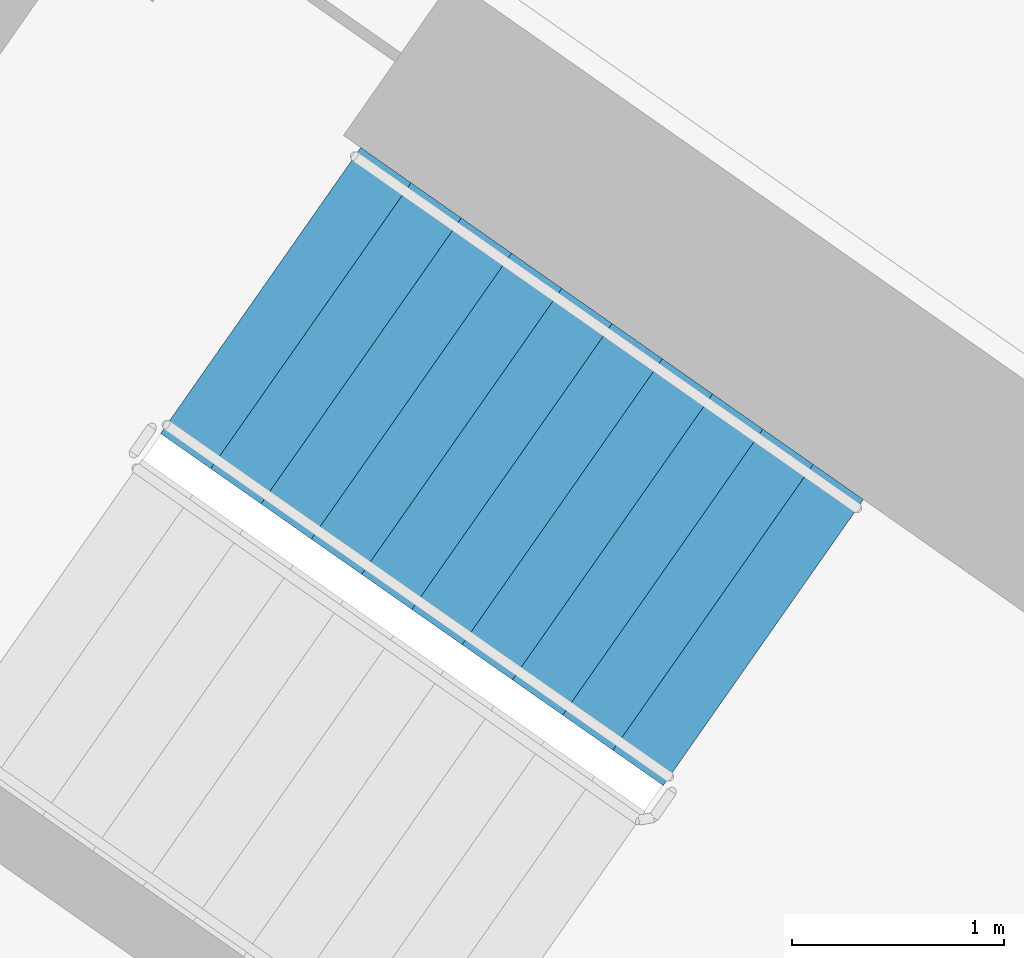
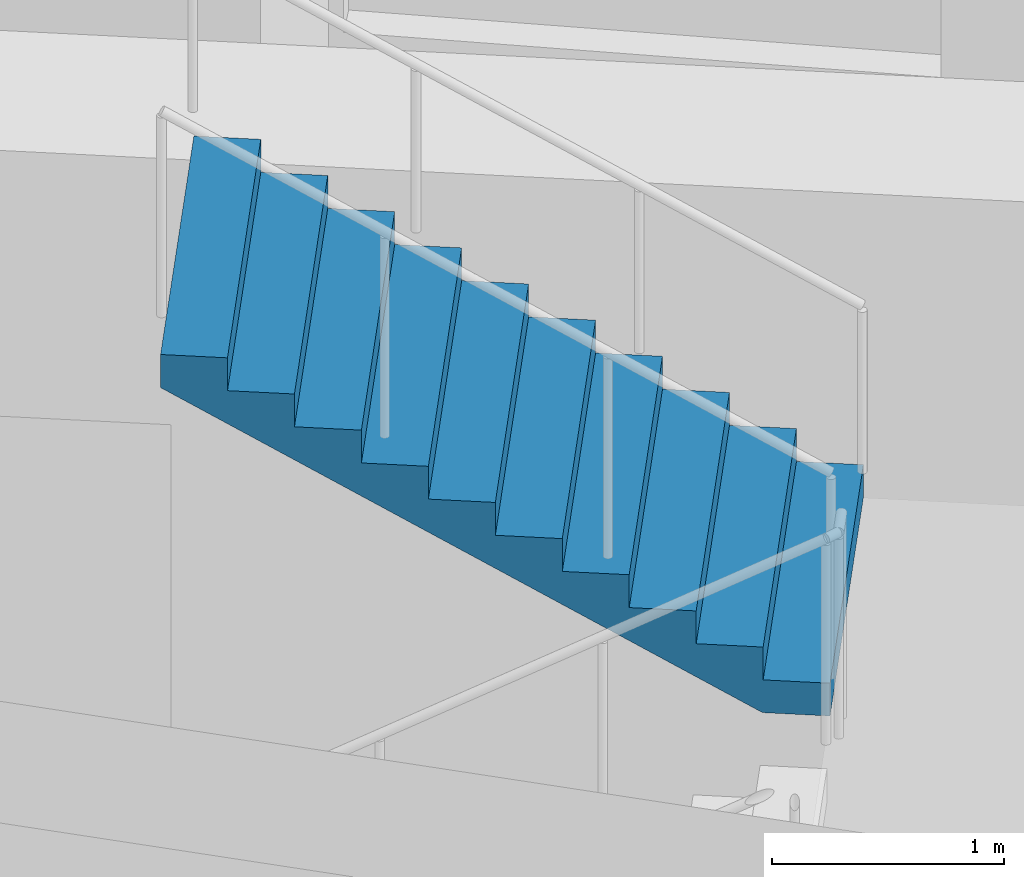
# One storey, part 13 of 30: 1 stair flight, 1 element without a shape of its own.
"""IFC4 building model written with IfcOpenShell, lengths in metres."""

from ifc_helpers import new_model, si_unit, direction, frame, origin, place, context, subcontext, project, spatial, faceted_brep, material, type_object, element, aggregate, save


model = new_model("IFC4")

# Units and contexts
model_context = context("Model", 3, precision=1e-05, world=origin(), true_north=direction((0.0, 1.0)))
body_context = subcontext(model_context, "Body", "Model", "MODEL_VIEW")
ifc_project = project(units=[si_unit("LENGTHUNIT", "METRE"), si_unit("AREAUNIT", "SQUARE_METRE"), si_unit("VOLUMEUNIT", "CUBIC_METRE"), si_unit("PLANEANGLEUNIT", "RADIAN"), si_unit("MASSUNIT", "GRAM", prefix="KILO")], contexts=[model_context])

# Site, building, storey
site_placement = place(None, origin())
site = spatial("IfcSite", under=ifc_project, at=site_placement, CompositionType="ELEMENT")
building_placement = place(site_placement, origin())
building = spatial("IfcBuilding", under=site, at=building_placement, Name="Qamariyya Broadcast Tower", CompositionType="ELEMENT")
storey_placement = place(building_placement, frame((0.0, 0.0, 117.699951171875)))
storey = spatial("IfcBuildingStorey", under=building, at=storey_placement, Name="L26", CompositionType="ELEMENT", Elevation=117.699951171875)

# Stair, stair flight
ifc_material = material(Name="Concrete C50/60", Category="concrete")
stair_type = type_object("IfcStairType", Name="Exit stair 22 risers of 173 mm", PredefinedType="HALF_TURN_STAIR", material=ifc_material)
stair_placement = place(storey_placement, origin())
stair = element("IfcStair", 1, at=stair_placement, inside=storey, type_object=stair_type, Name="L26 Stair W2", PredefinedType="HALF_TURN_STAIR")
stair_flight_type = type_object("IfcStairFlightType", Name="Exit stair flight 11 risers of 173 mm", PredefinedType="STRAIGHT", material=ifc_material)
stair_flight_placement = place(storey_placement, frame((-38.18310546875, -49.3486328125, 1.900146484375), z_axis=(0.0, 0.0, 1.0), x_axis=(-0.819152044289, 0.573576436351, 0.0)))
stair_flight = element("IfcStairFlight", 2, at=stair_flight_placement, type_object=stair_flight_type, Name="ST-W2 flight 2", NumberOfRisers=11, NumberOfTreads=10, PredefinedType="STRAIGHT", RiserHeight=0.172727273, TreadLength=0.29, context=body_context, shape_type="Brep", body=[
    faceted_brep([(0.0, 0.824951171875, 0.0), (0.0, 0.824951171875, 0.172607421875), (0.2900390625, 0.824951171875, 0.172607421875), (0.2900390625, 0.824951171875, 0.345458984375), (0.580078125, 0.824951171875, 0.345458984375), (0.580078125, 0.824951171875, 0.51806640625), (0.8701171875, 0.824951171875, 0.51806640625), (0.8701171875, 0.824951171875, 0.69091796875), (1.159912109375, 0.824951171875, 0.69091796875), (1.159912109375, 0.824951171875, 0.863525390625), (1.449951171875, 0.824951171875, 0.863525390625), (1.449951171875, 0.824951171875, 1.036376953125), (1.739990234375, 0.824951171875, 1.036376953125), (1.739990234375, 0.824951171875, 1.208984375), (2.030029296875, 0.824951171875, 1.208984375), (2.030029296875, 0.824951171875, 1.3818359375), (2.320068359375, 0.824951171875, 1.3818359375), (2.320068359375, 0.824951171875, 1.554443359375), (2.610107421875, 0.824951171875, 1.554443359375), (2.610107421875, 0.824951171875, 1.727294921875), (2.89990234375, 0.824951171875, 1.727294921875), (2.89990234375, 0.824951171875, 1.552734375), (0.29296875, 0.824951171875, 0.0), (0.29296875, -0.824951171875, 0.0), (2.89990234375, -0.824951171875, 1.552734375), (2.89990234375, -0.824951171875, 1.727294921875), (2.610107421875, -0.824951171875, 1.727294921875), (2.610107421875, -0.824951171875, 1.554443359375), (2.320068359375, -0.824951171875, 1.554443359375), (2.320068359375, -0.824951171875, 1.3818359375), (2.030029296875, -0.824951171875, 1.3818359375), (2.030029296875, -0.824951171875, 1.208984375), (1.739990234375, -0.824951171875, 1.208984375), (1.739990234375, -0.824951171875, 1.036376953125), (1.449951171875, -0.824951171875, 1.036376953125), (1.449951171875, -0.824951171875, 0.863525390625), (1.159912109375, -0.824951171875, 0.863525390625), (1.159912109375, -0.824951171875, 0.69091796875), (0.8701171875, -0.824951171875, 0.69091796875), (0.8701171875, -0.824951171875, 0.51806640625), (0.580078125, -0.824951171875, 0.51806640625), (0.580078125, -0.824951171875, 0.345458984375), (0.2900390625, -0.824951171875, 0.345458984375), (0.2900390625, -0.824951171875, 0.172607421875), (0.0, -0.824951171875, 0.172607421875), (0.0, -0.824951171875, 0.0), (0.0, 0.10009765625, 0.0), (0.0, 0.086669921875, 0.0), (0.0, 0.0732421875, 0.0), (0.0, 0.06005859375, 0.0), (0.0, 0.046630859375, 0.0), (0.0, 0.033447265625, 0.0), (0.0, 0.02001953125, 0.0), (0.0, 0.006591796875, 0.0), (0.0, -0.006591796875, 0.0), (0.0, -0.02001953125, 0.0), (0.0, -0.033447265625, 0.0), (0.0, -0.046630859375, 0.0), (0.0, -0.06005859375, 0.0), (0.0, -0.0732421875, 0.0), (0.0, -0.086669921875, 0.0), (0.0, -0.10009765625, 0.0), (0.0, -0.10009765625, 0.172607421875), (0.0, -0.086669921875, 0.172607421875), (0.0, -0.0732421875, 0.172607421875), (0.0, -0.06005859375, 0.172607421875), (0.0, -0.046630859375, 0.172607421875), (0.0, -0.033447265625, 0.172607421875), (0.0, -0.02001953125, 0.172607421875), (0.0, -0.006591796875, 0.172607421875), (0.0, 0.006591796875, 0.172607421875), (0.0, 0.02001953125, 0.172607421875), (0.0, 0.033447265625, 0.172607421875), (0.0, 0.046630859375, 0.172607421875), (0.0, 0.06005859375, 0.172607421875), (0.0, 0.0732421875, 0.172607421875), (0.0, 0.086669921875, 0.172607421875), (0.0, 0.10009765625, 0.172607421875), (0.2900390625, -0.10009765625, 0.172607421875), (0.2900390625, -0.086669921875, 0.172607421875), (0.2900390625, -0.0732421875, 0.172607421875), (0.2900390625, -0.06005859375, 0.172607421875), (0.2900390625, -0.046630859375, 0.172607421875), (0.2900390625, -0.033447265625, 0.172607421875), (0.2900390625, -0.02001953125, 0.172607421875), (0.2900390625, -0.006591796875, 0.172607421875), (0.2900390625, 0.006591796875, 0.172607421875), (0.2900390625, 0.02001953125, 0.172607421875), (0.2900390625, 0.033447265625, 0.172607421875), (0.2900390625, 0.046630859375, 0.172607421875), (0.2900390625, 0.06005859375, 0.172607421875), (0.2900390625, 0.0732421875, 0.172607421875), (0.2900390625, 0.086669921875, 0.172607421875), (0.2900390625, 0.10009765625, 0.172607421875), (0.2900390625, -0.10009765625, 0.345458984375), (0.2900390625, -0.086669921875, 0.345458984375), (0.2900390625, -0.0732421875, 0.345458984375), (0.2900390625, -0.06005859375, 0.345458984375), (0.2900390625, -0.046630859375, 0.345458984375), (0.2900390625, -0.033447265625, 0.345458984375), (0.2900390625, -0.02001953125, 0.345458984375), (0.2900390625, -0.006591796875, 0.345458984375), (0.2900390625, 0.006591796875, 0.345458984375), (0.2900390625, 0.02001953125, 0.345458984375), (0.2900390625, 0.033447265625, 0.345458984375), (0.2900390625, 0.046630859375, 0.345458984375), (0.2900390625, 0.06005859375, 0.345458984375), (0.2900390625, 0.0732421875, 0.345458984375), (0.2900390625, 0.086669921875, 0.345458984375), (0.2900390625, 0.10009765625, 0.345458984375), (0.580078125, -0.10009765625, 0.345458984375), (0.580078125, -0.086669921875, 0.345458984375), (0.580078125, -0.0732421875, 0.345458984375), (0.580078125, -0.06005859375, 0.345458984375), (0.580078125, -0.046630859375, 0.345458984375), (0.580078125, -0.033447265625, 0.345458984375), (0.580078125, -0.02001953125, 0.345458984375), (0.580078125, -0.006591796875, 0.345458984375), (0.580078125, 0.006591796875, 0.345458984375), (0.580078125, 0.02001953125, 0.345458984375), (0.580078125, 0.033447265625, 0.345458984375), (0.580078125, 0.046630859375, 0.345458984375), (0.580078125, 0.06005859375, 0.345458984375), (0.580078125, 0.0732421875, 0.345458984375), (0.580078125, 0.086669921875, 0.345458984375), (0.580078125, 0.10009765625, 0.345458984375), (0.580078125, -0.10009765625, 0.51806640625), (0.580078125, -0.086669921875, 0.51806640625), (0.580078125, -0.0732421875, 0.51806640625), (0.580078125, -0.06005859375, 0.51806640625), (0.580078125, -0.046630859375, 0.51806640625), (0.580078125, -0.033447265625, 0.51806640625), (0.580078125, -0.02001953125, 0.51806640625), (0.580078125, -0.006591796875, 0.51806640625), (0.580078125, 0.006591796875, 0.51806640625), (0.580078125, 0.02001953125, 0.51806640625), (0.580078125, 0.033447265625, 0.51806640625), (0.580078125, 0.046630859375, 0.51806640625), (0.580078125, 0.06005859375, 0.51806640625), (0.580078125, 0.0732421875, 0.51806640625), (0.580078125, 0.086669921875, 0.51806640625), (0.580078125, 0.10009765625, 0.51806640625), (0.8701171875, -0.10009765625, 0.51806640625), (0.8701171875, -0.086669921875, 0.51806640625), (0.8701171875, -0.0732421875, 0.51806640625), (0.8701171875, -0.06005859375, 0.51806640625), (0.8701171875, -0.046630859375, 0.51806640625), (0.8701171875, -0.033447265625, 0.51806640625), (0.8701171875, -0.02001953125, 0.51806640625), (0.8701171875, -0.006591796875, 0.51806640625), (0.8701171875, 0.006591796875, 0.51806640625), (0.8701171875, 0.02001953125, 0.51806640625), (0.8701171875, 0.033447265625, 0.51806640625), (0.8701171875, 0.046630859375, 0.51806640625), (0.8701171875, 0.06005859375, 0.51806640625), (0.8701171875, 0.0732421875, 0.51806640625), (0.8701171875, 0.086669921875, 0.51806640625), (0.8701171875, 0.10009765625, 0.51806640625), (0.8701171875, -0.10009765625, 0.69091796875), (0.8701171875, -0.086669921875, 0.69091796875), (0.8701171875, -0.0732421875, 0.69091796875), (0.8701171875, -0.06005859375, 0.69091796875), (0.8701171875, -0.046630859375, 0.69091796875), (0.8701171875, -0.033447265625, 0.69091796875), (0.8701171875, -0.02001953125, 0.69091796875), (0.8701171875, -0.006591796875, 0.69091796875), (0.8701171875, 0.006591796875, 0.69091796875), (0.8701171875, 0.02001953125, 0.69091796875), (0.8701171875, 0.033447265625, 0.69091796875), (0.8701171875, 0.046630859375, 0.69091796875), (0.8701171875, 0.06005859375, 0.69091796875), (0.8701171875, 0.0732421875, 0.69091796875), (0.8701171875, 0.086669921875, 0.69091796875), (0.8701171875, 0.10009765625, 0.69091796875), (1.159912109375, -0.10009765625, 0.69091796875), (1.159912109375, -0.086669921875, 0.69091796875), (1.159912109375, -0.0732421875, 0.69091796875), (1.159912109375, -0.06005859375, 0.69091796875), (1.159912109375, -0.046630859375, 0.69091796875), (1.159912109375, -0.033447265625, 0.69091796875), (1.159912109375, -0.02001953125, 0.69091796875), (1.159912109375, -0.006591796875, 0.69091796875), (1.159912109375, 0.006591796875, 0.69091796875), (1.159912109375, 0.02001953125, 0.69091796875), (1.159912109375, 0.033447265625, 0.69091796875), (1.159912109375, 0.046630859375, 0.69091796875), (1.159912109375, 0.06005859375, 0.69091796875), (1.159912109375, 0.0732421875, 0.69091796875), (1.159912109375, 0.086669921875, 0.69091796875), (1.159912109375, 0.10009765625, 0.69091796875), (1.159912109375, -0.10009765625, 0.863525390625), (1.159912109375, -0.086669921875, 0.863525390625), (1.159912109375, -0.0732421875, 0.863525390625), (1.159912109375, -0.06005859375, 0.863525390625), (1.159912109375, -0.046630859375, 0.863525390625), (1.159912109375, -0.033447265625, 0.863525390625), (1.159912109375, -0.02001953125, 0.863525390625), (1.159912109375, -0.006591796875, 0.863525390625), (1.159912109375, 0.006591796875, 0.863525390625), (1.159912109375, 0.02001953125, 0.863525390625), (1.159912109375, 0.033447265625, 0.863525390625), (1.159912109375, 0.046630859375, 0.863525390625), (1.159912109375, 0.06005859375, 0.863525390625), (1.159912109375, 0.0732421875, 0.863525390625), (1.159912109375, 0.086669921875, 0.863525390625), (1.159912109375, 0.10009765625, 0.863525390625), (1.449951171875, -0.10009765625, 0.863525390625), (1.449951171875, -0.086669921875, 0.863525390625), (1.449951171875, -0.0732421875, 0.863525390625), (1.449951171875, -0.06005859375, 0.863525390625), (1.449951171875, -0.046630859375, 0.863525390625), (1.449951171875, -0.033447265625, 0.863525390625), (1.449951171875, -0.02001953125, 0.863525390625), (1.449951171875, -0.006591796875, 0.863525390625), (1.449951171875, 0.006591796875, 0.863525390625), (1.449951171875, 0.02001953125, 0.863525390625), (1.449951171875, 0.033447265625, 0.863525390625), (1.449951171875, 0.046630859375, 0.863525390625), (1.449951171875, 0.06005859375, 0.863525390625), (1.449951171875, 0.0732421875, 0.863525390625), (1.449951171875, 0.086669921875, 0.863525390625), (1.449951171875, 0.10009765625, 0.863525390625), (1.449951171875, -0.10009765625, 1.036376953125), (1.449951171875, -0.086669921875, 1.036376953125), (1.449951171875, -0.0732421875, 1.036376953125), (1.449951171875, -0.06005859375, 1.036376953125), (1.449951171875, -0.046630859375, 1.036376953125), (1.449951171875, -0.033447265625, 1.036376953125), (1.449951171875, -0.02001953125, 1.036376953125), (1.449951171875, -0.006591796875, 1.036376953125), (1.449951171875, 0.006591796875, 1.036376953125), (1.449951171875, 0.02001953125, 1.036376953125), (1.449951171875, 0.033447265625, 1.036376953125), (1.449951171875, 0.046630859375, 1.036376953125), (1.449951171875, 0.06005859375, 1.036376953125), (1.449951171875, 0.0732421875, 1.036376953125), (1.449951171875, 0.086669921875, 1.036376953125), (1.449951171875, 0.10009765625, 1.036376953125), (1.739990234375, -0.10009765625, 1.036376953125), (1.739990234375, -0.086669921875, 1.036376953125), (1.739990234375, -0.0732421875, 1.036376953125), (1.739990234375, -0.06005859375, 1.036376953125), (1.739990234375, -0.046630859375, 1.036376953125), (1.739990234375, -0.033447265625, 1.036376953125), (1.739990234375, -0.02001953125, 1.036376953125), (1.739990234375, -0.006591796875, 1.036376953125), (1.739990234375, 0.006591796875, 1.036376953125), (1.739990234375, 0.02001953125, 1.036376953125), (1.739990234375, 0.033447265625, 1.036376953125), (1.739990234375, 0.046630859375, 1.036376953125), (1.739990234375, 0.06005859375, 1.036376953125), (1.739990234375, 0.0732421875, 1.036376953125), (1.739990234375, 0.086669921875, 1.036376953125), (1.739990234375, 0.10009765625, 1.036376953125), (1.739990234375, -0.10009765625, 1.208984375), (1.739990234375, -0.086669921875, 1.208984375), (1.739990234375, -0.0732421875, 1.208984375), (1.739990234375, -0.06005859375, 1.208984375), (1.739990234375, -0.046630859375, 1.208984375), (1.739990234375, -0.033447265625, 1.208984375), (1.739990234375, -0.02001953125, 1.208984375), (1.739990234375, -0.006591796875, 1.208984375), (1.739990234375, 0.006591796875, 1.208984375), (1.739990234375, 0.02001953125, 1.208984375), (1.739990234375, 0.033447265625, 1.208984375), (1.739990234375, 0.046630859375, 1.208984375), (1.739990234375, 0.06005859375, 1.208984375), (1.739990234375, 0.0732421875, 1.208984375), (1.739990234375, 0.086669921875, 1.208984375), (1.739990234375, 0.10009765625, 1.208984375), (2.030029296875, -0.10009765625, 1.208984375), (2.030029296875, -0.086669921875, 1.208984375), (2.030029296875, -0.0732421875, 1.208984375), (2.030029296875, -0.06005859375, 1.208984375), (2.030029296875, -0.046630859375, 1.208984375), (2.030029296875, -0.033447265625, 1.208984375), (2.030029296875, -0.02001953125, 1.208984375), (2.030029296875, -0.006591796875, 1.208984375), (2.030029296875, 0.006591796875, 1.208984375), (2.030029296875, 0.02001953125, 1.208984375), (2.030029296875, 0.033447265625, 1.208984375), (2.030029296875, 0.046630859375, 1.208984375), (2.030029296875, 0.06005859375, 1.208984375), (2.030029296875, 0.0732421875, 1.208984375), (2.030029296875, 0.086669921875, 1.208984375), (2.030029296875, 0.10009765625, 1.208984375), (2.030029296875, -0.10009765625, 1.3818359375), (2.030029296875, -0.086669921875, 1.3818359375), (2.030029296875, -0.0732421875, 1.3818359375), (2.030029296875, -0.06005859375, 1.3818359375), (2.030029296875, -0.046630859375, 1.3818359375), (2.030029296875, -0.033447265625, 1.3818359375), (2.030029296875, -0.02001953125, 1.3818359375), (2.030029296875, -0.006591796875, 1.3818359375), (2.030029296875, 0.006591796875, 1.3818359375), (2.030029296875, 0.02001953125, 1.3818359375), (2.030029296875, 0.033447265625, 1.3818359375), (2.030029296875, 0.046630859375, 1.3818359375), (2.030029296875, 0.06005859375, 1.3818359375), (2.030029296875, 0.0732421875, 1.3818359375), (2.030029296875, 0.086669921875, 1.3818359375), (2.030029296875, 0.10009765625, 1.3818359375), (2.320068359375, -0.10009765625, 1.3818359375), (2.320068359375, -0.086669921875, 1.3818359375), (2.320068359375, -0.0732421875, 1.3818359375), (2.320068359375, -0.06005859375, 1.3818359375), (2.320068359375, -0.046630859375, 1.3818359375), (2.320068359375, -0.033447265625, 1.3818359375), (2.320068359375, -0.02001953125, 1.3818359375), (2.320068359375, -0.006591796875, 1.3818359375), (2.320068359375, 0.006591796875, 1.3818359375), (2.320068359375, 0.02001953125, 1.3818359375), (2.320068359375, 0.033447265625, 1.3818359375), (2.320068359375, 0.046630859375, 1.3818359375), (2.320068359375, 0.06005859375, 1.3818359375), (2.320068359375, 0.0732421875, 1.3818359375), (2.320068359375, 0.086669921875, 1.3818359375), (2.320068359375, 0.10009765625, 1.3818359375), (2.320068359375, -0.10009765625, 1.554443359375), (2.320068359375, -0.086669921875, 1.554443359375), (2.320068359375, -0.0732421875, 1.554443359375), (2.320068359375, -0.06005859375, 1.554443359375), (2.320068359375, -0.046630859375, 1.554443359375), (2.320068359375, -0.033447265625, 1.554443359375), (2.320068359375, -0.02001953125, 1.554443359375), (2.320068359375, -0.006591796875, 1.554443359375), (2.320068359375, 0.006591796875, 1.554443359375), (2.320068359375, 0.02001953125, 1.554443359375), (2.320068359375, 0.033447265625, 1.554443359375), (2.320068359375, 0.046630859375, 1.554443359375), (2.320068359375, 0.06005859375, 1.554443359375), (2.320068359375, 0.0732421875, 1.554443359375), (2.320068359375, 0.086669921875, 1.554443359375), (2.320068359375, 0.10009765625, 1.554443359375), (2.610107421875, -0.10009765625, 1.554443359375), (2.610107421875, -0.086669921875, 1.554443359375), (2.610107421875, -0.0732421875, 1.554443359375), (2.610107421875, -0.06005859375, 1.554443359375), (2.610107421875, -0.046630859375, 1.554443359375), (2.610107421875, -0.033447265625, 1.554443359375), (2.610107421875, -0.02001953125, 1.554443359375), (2.610107421875, -0.006591796875, 1.554443359375), (2.610107421875, 0.006591796875, 1.554443359375), (2.610107421875, 0.02001953125, 1.554443359375), (2.610107421875, 0.033447265625, 1.554443359375), (2.610107421875, 0.046630859375, 1.554443359375), (2.610107421875, 0.06005859375, 1.554443359375), (2.610107421875, 0.0732421875, 1.554443359375), (2.610107421875, 0.086669921875, 1.554443359375), (2.610107421875, 0.10009765625, 1.554443359375), (2.610107421875, -0.10009765625, 1.727294921875), (2.610107421875, -0.086669921875, 1.727294921875), (2.610107421875, -0.0732421875, 1.727294921875), (2.610107421875, -0.06005859375, 1.727294921875), (2.610107421875, -0.046630859375, 1.727294921875), (2.610107421875, -0.033447265625, 1.727294921875), (2.610107421875, -0.02001953125, 1.727294921875), (2.610107421875, -0.006591796875, 1.727294921875), (2.610107421875, 0.006591796875, 1.727294921875), (2.610107421875, 0.02001953125, 1.727294921875), (2.610107421875, 0.033447265625, 1.727294921875), (2.610107421875, 0.046630859375, 1.727294921875), (2.610107421875, 0.06005859375, 1.727294921875), (2.610107421875, 0.0732421875, 1.727294921875), (2.610107421875, 0.086669921875, 1.727294921875), (2.610107421875, 0.10009765625, 1.727294921875), (2.89990234375, -0.10009765625, 1.727294921875), (2.89990234375, -0.086669921875, 1.727294921875), (2.89990234375, -0.0732421875, 1.727294921875), (2.89990234375, -0.06005859375, 1.727294921875), (2.89990234375, -0.046630859375, 1.727294921875), (2.89990234375, -0.033447265625, 1.727294921875), (2.89990234375, -0.02001953125, 1.727294921875), (2.89990234375, -0.006591796875, 1.727294921875), (2.89990234375, 0.006591796875, 1.727294921875), (2.89990234375, 0.02001953125, 1.727294921875), (2.89990234375, 0.033447265625, 1.727294921875), (2.89990234375, 0.046630859375, 1.727294921875), (2.89990234375, 0.06005859375, 1.727294921875), (2.89990234375, 0.0732421875, 1.727294921875), (2.89990234375, 0.086669921875, 1.727294921875), (2.89990234375, 0.10009765625, 1.727294921875), (2.89990234375, -0.10009765625, 1.552734375), (2.89990234375, -0.086669921875, 1.552734375), (2.89990234375, -0.0732421875, 1.552734375), (2.89990234375, -0.06005859375, 1.552734375), (2.89990234375, -0.046630859375, 1.552734375), (2.89990234375, -0.033447265625, 1.552734375), (2.89990234375, -0.02001953125, 1.552734375), (2.89990234375, -0.006591796875, 1.552734375), (2.89990234375, 0.006591796875, 1.552734375), (2.89990234375, 0.02001953125, 1.552734375), (2.89990234375, 0.033447265625, 1.552734375), (2.89990234375, 0.046630859375, 1.552734375), (2.89990234375, 0.06005859375, 1.552734375), (2.89990234375, 0.0732421875, 1.552734375), (2.89990234375, 0.086669921875, 1.552734375), (2.89990234375, 0.10009765625, 1.552734375), (0.29296875, -0.10009765625, 0.0), (0.29296875, -0.086669921875, 0.0), (0.29296875, -0.0732421875, 0.0), (0.29296875, -0.06005859375, 0.0), (0.29296875, -0.046630859375, 0.0), (0.29296875, -0.033447265625, 0.0), (0.29296875, -0.02001953125, 0.0), (0.29296875, -0.006591796875, 0.0), (0.29296875, 0.006591796875, 0.0), (0.29296875, 0.02001953125, 0.0), (0.29296875, 0.033447265625, 0.0), (0.29296875, 0.046630859375, 0.0), (0.29296875, 0.06005859375, 0.0), (0.29296875, 0.0732421875, 0.0), (0.29296875, 0.086669921875, 0.0), (0.29296875, 0.10009765625, 0.0)], [[[0, 1, 2, 3, 4, 5, 6, 7, 8, 9, 10, 11, 12, 13, 14, 15, 16, 17, 18, 19, 20, 21, 22]], [[23, 24, 25, 26, 27, 28, 29, 30, 31, 32, 33, 34, 35, 36, 37, 38, 39, 40, 41, 42, 43, 44, 45]], [[0, 46, 47, 48, 49, 50, 51, 52, 53, 54, 55, 56, 57, 58, 59, 60, 61, 45, 44, 62, 63, 64, 65, 66, 67, 68, 69, 70, 71, 72, 73, 74, 75, 76, 77, 1]], [[1, 77, 76, 75, 74, 73, 72, 71, 70, 69, 68, 67, 66, 65, 64, 63, 62, 44, 43, 78, 79, 80, 81, 82, 83, 84, 85, 86, 87, 88, 89, 90, 91, 92, 93, 2]], [[2, 93, 92, 91, 90, 89, 88, 87, 86, 85, 84, 83, 82, 81, 80, 79, 78, 43, 42, 94, 95, 96, 97, 98, 99, 100, 101, 102, 103, 104, 105, 106, 107, 108, 109, 3]], [[3, 109, 108, 107, 106, 105, 104, 103, 102, 101, 100, 99, 98, 97, 96, 95, 94, 42, 41, 110, 111, 112, 113, 114, 115, 116, 117, 118, 119, 120, 121, 122, 123, 124, 125, 4]], [[4, 125, 124, 123, 122, 121, 120, 119, 118, 117, 116, 115, 114, 113, 112, 111, 110, 41, 40, 126, 127, 128, 129, 130, 131, 132, 133, 134, 135, 136, 137, 138, 139, 140, 141, 5]], [[5, 141, 140, 139, 138, 137, 136, 135, 134, 133, 132, 131, 130, 129, 128, 127, 126, 40, 39, 142, 143, 144, 145, 146, 147, 148, 149, 150, 151, 152, 153, 154, 155, 156, 157, 6]], [[6, 157, 156, 155, 154, 153, 152, 151, 150, 149, 148, 147, 146, 145, 144, 143, 142, 39, 38, 158, 159, 160, 161, 162, 163, 164, 165, 166, 167, 168, 169, 170, 171, 172, 173, 7]], [[7, 173, 172, 171, 170, 169, 168, 167, 166, 165, 164, 163, 162, 161, 160, 159, 158, 38, 37, 174, 175, 176, 177, 178, 179, 180, 181, 182, 183, 184, 185, 186, 187, 188, 189, 8]], [[8, 189, 188, 187, 186, 185, 184, 183, 182, 181, 180, 179, 178, 177, 176, 175, 174, 37, 36, 190, 191, 192, 193, 194, 195, 196, 197, 198, 199, 200, 201, 202, 203, 204, 205, 9]], [[9, 205, 204, 203, 202, 201, 200, 199, 198, 197, 196, 195, 194, 193, 192, 191, 190, 36, 35, 206, 207, 208, 209, 210, 211, 212, 213, 214, 215, 216, 217, 218, 219, 220, 221, 10]], [[10, 221, 220, 219, 218, 217, 216, 215, 214, 213, 212, 211, 210, 209, 208, 207, 206, 35, 34, 222, 223, 224, 225, 226, 227, 228, 229, 230, 231, 232, 233, 234, 235, 236, 237, 11]], [[11, 237, 236, 235, 234, 233, 232, 231, 230, 229, 228, 227, 226, 225, 224, 223, 222, 34, 33, 238, 239, 240, 241, 242, 243, 244, 245, 246, 247, 248, 249, 250, 251, 252, 253, 12]], [[12, 253, 252, 251, 250, 249, 248, 247, 246, 245, 244, 243, 242, 241, 240, 239, 238, 33, 32, 254, 255, 256, 257, 258, 259, 260, 261, 262, 263, 264, 265, 266, 267, 268, 269, 13]], [[13, 269, 268, 267, 266, 265, 264, 263, 262, 261, 260, 259, 258, 257, 256, 255, 254, 32, 31, 270, 271, 272, 273, 274, 275, 276, 277, 278, 279, 280, 281, 282, 283, 284, 285, 14]], [[14, 285, 284, 283, 282, 281, 280, 279, 278, 277, 276, 275, 274, 273, 272, 271, 270, 31, 30, 286, 287, 288, 289, 290, 291, 292, 293, 294, 295, 296, 297, 298, 299, 300, 301, 15]], [[15, 301, 300, 299, 298, 297, 296, 295, 294, 293, 292, 291, 290, 289, 288, 287, 286, 30, 29, 302, 303, 304, 305, 306, 307, 308, 309, 310, 311, 312, 313, 314, 315, 316, 317, 16]], [[16, 317, 316, 315, 314, 313, 312, 311, 310, 309, 308, 307, 306, 305, 304, 303, 302, 29, 28, 318, 319, 320, 321, 322, 323, 324, 325, 326, 327, 328, 329, 330, 331, 332, 333, 17]], [[17, 333, 332, 331, 330, 329, 328, 327, 326, 325, 324, 323, 322, 321, 320, 319, 318, 28, 27, 334, 335, 336, 337, 338, 339, 340, 341, 342, 343, 344, 345, 346, 347, 348, 349, 18]], [[18, 349, 348, 347, 346, 345, 344, 343, 342, 341, 340, 339, 338, 337, 336, 335, 334, 27, 26, 350, 351, 352, 353, 354, 355, 356, 357, 358, 359, 360, 361, 362, 363, 364, 365, 19]], [[19, 365, 364, 363, 362, 361, 360, 359, 358, 357, 356, 355, 354, 353, 352, 351, 350, 26, 25, 366, 367, 368, 369, 370, 371, 372, 373, 374, 375, 376, 377, 378, 379, 380, 381, 20]], [[20, 381, 380, 379, 378, 377, 376, 375, 374, 373, 372, 371, 370, 369, 368, 367, 366, 25, 24, 382, 383, 384, 385, 386, 387, 388, 389, 390, 391, 392, 393, 394, 395, 396, 397, 21]], [[21, 397, 396, 395, 394, 393, 392, 391, 390, 389, 388, 387, 386, 385, 384, 383, 382, 24, 23, 398, 399, 400, 401, 402, 403, 404, 405, 406, 407, 408, 409, 410, 411, 412, 413, 22]], [[22, 413, 412, 411, 410, 409, 408, 407, 406, 405, 404, 403, 402, 401, 400, 399, 398, 23, 45, 61, 60, 59, 58, 57, 56, 55, 54, 53, 52, 51, 50, 49, 48, 47, 46, 0]]]),
])
aggregate(stair, [stair_flight])

save(model, "model.ifc")
